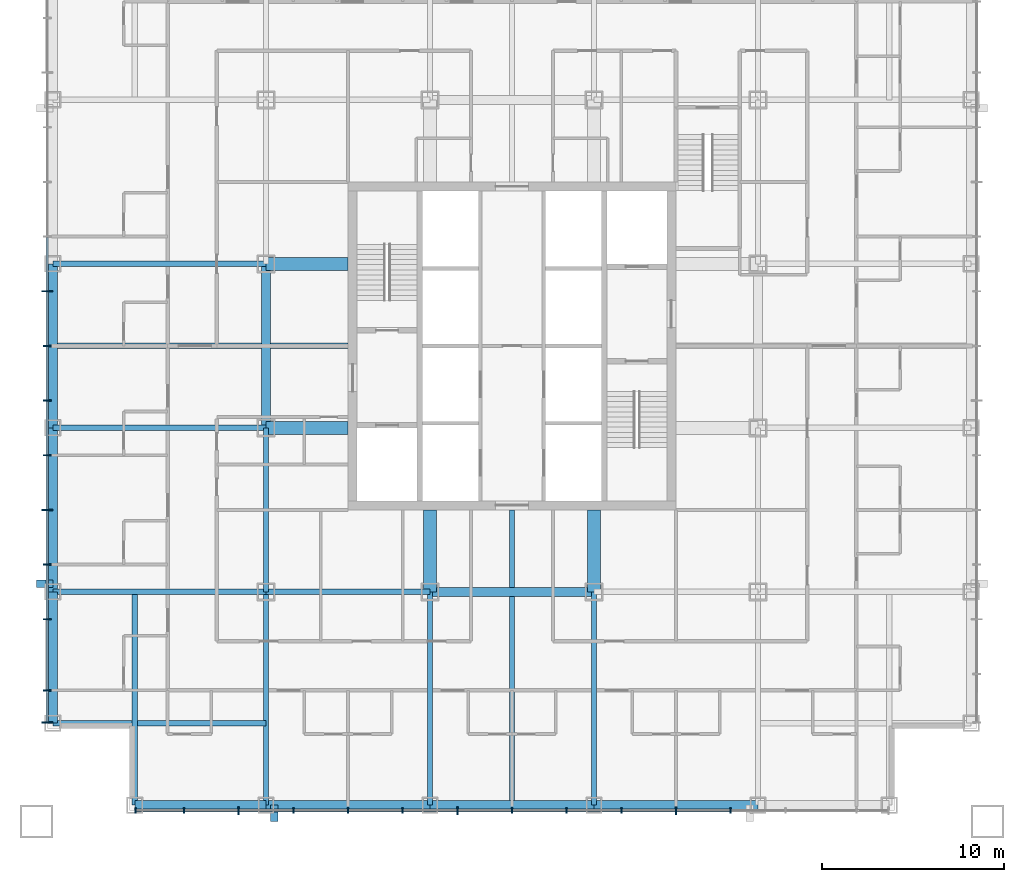
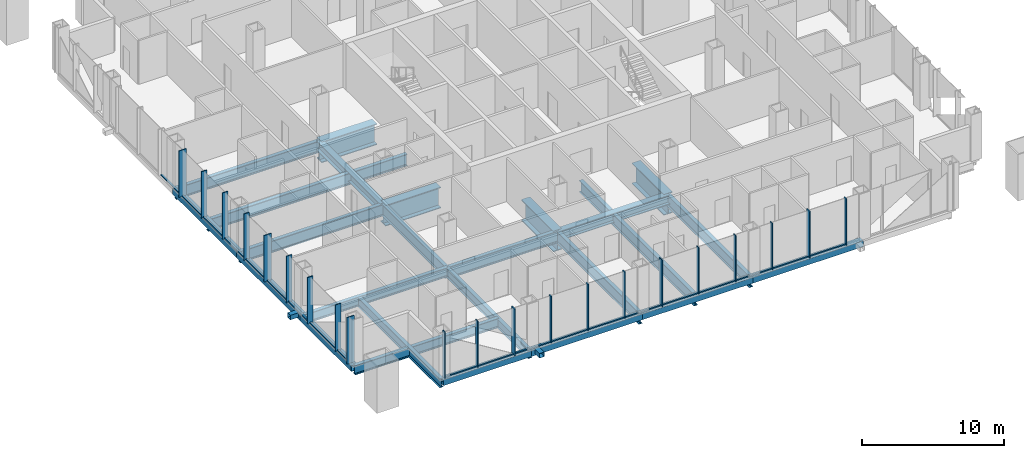
# One storey, part 2 of 17: 43 members, 25 beams, 2 elements without a shape of their own.
"""IFC4 building model written with IfcOpenShell, lengths in metres."""

from ifc_helpers import new_model, si_unit, direction, frame, origin, origin_2d, place, context, subcontext, project, spatial, rectangle, hollow_rectangle, i_section, extrude, material, layer, layer_set, material_profile, profile_set, type_object, element, aggregate, save


model = new_model("IFC4")

# Units and contexts
model_context = context("Model", 3, precision=1e-05, world=origin(), true_north=direction((0.0, 1.0)))
body_context = subcontext(model_context, "Body", "Model", "MODEL_VIEW")
ifc_project = project(units=[si_unit("LENGTHUNIT", "METRE"), si_unit("AREAUNIT", "SQUARE_METRE"), si_unit("VOLUMEUNIT", "CUBIC_METRE"), si_unit("PLANEANGLEUNIT", "RADIAN"), si_unit("MASSUNIT", "GRAM", prefix="KILO")], contexts=[model_context])

# Site, building, storey
site_placement = place(None, origin())
site = spatial("IfcSite", under=ifc_project, at=site_placement, CompositionType="ELEMENT")
building_placement = place(site_placement, origin())
building = spatial("IfcBuilding", under=site, at=building_placement, Name="Malebo Sky Hospital", CompositionType="ELEMENT")
storey_placement = place(building_placement, frame((0.0, 0.0, 55.0)))
storey = spatial("IfcBuildingStorey", under=building, at=storey_placement, Name="L12", CompositionType="ELEMENT", Elevation=55.0)

# Curtain wall, members
ifc_material_1 = material(Name="Anodised aluminium, natural silver", Category="aluminium")
ifc_layer_1 = layer(ifc_material_1, 0.25)
ifc_layer_set_1 = layer_set([ifc_layer_1], Name="WARD CURTAIN WALL EAST AND WEST")
curtain_wall_type_1 = type_object("IfcCurtainWallType", Name="WARD CURTAIN WALL EAST AND WEST", PredefinedType="NOTDEFINED", material=ifc_layer_set_1)
curtain_wall_1_placement = place(storey_placement, origin())
curtain_wall_1 = element("IfcCurtainWall", 1, at=curtain_wall_1_placement, inside=storey, type_object=curtain_wall_type_1, Name="EW curtain wall W", PredefinedType="NOTDEFINED")
ifc_material_profile_1 = material_profile(ifc_material_1, rectangle(XDim=0.14990234375, YDim=0.10009765625, at=origin_2d()), Name="ALUMINIUM TRANSOM 150x100")
ifc_profile_set_1 = profile_set([ifc_material_profile_1], Name="Anodised aluminium, natural silver")
member_type_1 = type_object("IfcMemberType", Name="ALUMINIUM TRANSOM 150x100", PredefinedType="USERDEFINED", material=ifc_profile_set_1)
member_1_placement = place(storey_placement, frame((34.5, 41.375, 0.050048828125), z_axis=(0.0, 1.0, 0.0), x_axis=(-1.0, 0.0, 0.0)))
member_1 = element("IfcMember", 2, at=member_1_placement, type_object=member_type_1, Name="Transom 1", ObjectType="TRANSOM", PredefinedType="USERDEFINED", context=body_context, shape_type="SweptSolid", body=[
    extrude(rectangle(XDim=0.14990234375, YDim=0.10009765625, at=origin_2d()), origin(), (0.0, 0.0, 1.0), 1.6875),
])
member_2_placement = place(storey_placement, frame((34.5, 43.137451171875, 0.050048828125), z_axis=(0.0, 1.0, 0.0), x_axis=(-1.0, 0.0, 0.0)))
member_2 = element("IfcMember", 3, at=member_2_placement, type_object=member_type_1, Name="Transom 2", ObjectType="TRANSOM", PredefinedType="USERDEFINED", context=body_context, shape_type="SweptSolid", body=[
    extrude(rectangle(XDim=0.14990234375, YDim=0.10009765625, at=origin_2d()), origin(), (0.0, 0.0, 1.0), 3.824951171875),
])
member_3_placement = place(storey_placement, frame((34.5, 47.03759765625, 0.050048828125), z_axis=(0.0, 1.0, 0.0), x_axis=(-1.0, 0.0, 0.0)))
member_3 = element("IfcMember", 4, at=member_3_placement, type_object=member_type_1, Name="Transom 3", ObjectType="TRANSOM", PredefinedType="USERDEFINED", context=body_context, shape_type="SweptSolid", body=[
    extrude(rectangle(XDim=0.14990234375, YDim=0.10009765625, at=origin_2d()), origin(), (0.0, 0.0, 1.0), 2.9248046875),
])
member_4_placement = place(storey_placement, frame((34.5, 50.03759765625, 0.050048828125), z_axis=(0.0, 1.0, 0.0), x_axis=(-1.0, 0.0, 0.0)))
member_4 = element("IfcMember", 5, at=member_4_placement, type_object=member_type_1, Name="Transom 4", ObjectType="TRANSOM", PredefinedType="USERDEFINED", context=body_context, shape_type="SweptSolid", body=[
    extrude(rectangle(XDim=0.14990234375, YDim=0.10009765625, at=origin_2d()), origin(), (0.0, 0.0, 1.0), 2.9248046875),
])
member_5_placement = place(storey_placement, frame((34.5, 53.03759765625, 0.050048828125), z_axis=(0.0, 1.0, 0.0), x_axis=(-1.0, 0.0, 0.0)))
member_5 = element("IfcMember", 6, at=member_5_placement, type_object=member_type_1, Name="Transom 5", ObjectType="TRANSOM", PredefinedType="USERDEFINED", context=body_context, shape_type="SweptSolid", body=[
    extrude(rectangle(XDim=0.14990234375, YDim=0.10009765625, at=origin_2d()), origin(), (0.0, 0.0, 1.0), 2.9248046875),
])
member_6_placement = place(storey_placement, frame((34.5, 56.03759765625, 0.050048828125), z_axis=(0.0, 1.0, 0.0), x_axis=(-1.0, 0.0, 0.0)))
member_6 = element("IfcMember", 7, at=member_6_placement, type_object=member_type_1, Name="Transom 6", ObjectType="TRANSOM", PredefinedType="USERDEFINED", context=body_context, shape_type="SweptSolid", body=[
    extrude(rectangle(XDim=0.14990234375, YDim=0.10009765625, at=origin_2d()), origin(), (0.0, 0.0, 1.0), 2.9248046875),
])
member_7_placement = place(storey_placement, frame((34.5, 59.03759765625, 0.050048828125), z_axis=(0.0, 1.0, 0.0), x_axis=(-1.0, 0.0, 0.0)))
member_7 = element("IfcMember", 8, at=member_7_placement, type_object=member_type_1, Name="Transom 7", ObjectType="TRANSOM", PredefinedType="USERDEFINED", context=body_context, shape_type="SweptSolid", body=[
    extrude(rectangle(XDim=0.14990234375, YDim=0.10009765625, at=origin_2d()), origin(), (0.0, 0.0, 1.0), 2.9248046875),
])
member_8_placement = place(storey_placement, frame((34.5, 62.03759765625, 0.050048828125), z_axis=(0.0, 1.0, 0.0), x_axis=(-1.0, 0.0, 0.0)))
member_8 = element("IfcMember", 9, at=member_8_placement, type_object=member_type_1, Name="Transom 8", ObjectType="TRANSOM", PredefinedType="USERDEFINED", context=body_context, shape_type="SweptSolid", body=[
    extrude(rectangle(XDim=0.14990234375, YDim=0.10009765625, at=origin_2d()), origin(), (0.0, 0.0, 1.0), 2.9248046875),
])
member_9_placement = place(storey_placement, frame((34.5, 65.03759765625, 0.050048828125), z_axis=(0.0, 1.0, 0.0), x_axis=(-1.0, 0.0, 0.0)))
member_9 = element("IfcMember", 10, at=member_9_placement, type_object=member_type_1, Name="Transom 9", ObjectType="TRANSOM", PredefinedType="USERDEFINED", context=body_context, shape_type="SweptSolid", body=[
    extrude(rectangle(XDim=0.14990234375, YDim=0.10009765625, at=origin_2d()), origin(), (0.0, 0.0, 1.0), 2.9248046875),
])

ifc_layer_2 = layer(ifc_material_1, 0.25)
ifc_layer_set_2 = layer_set([ifc_layer_2], Name="WARD CURTAIN WALL NORTH AND SOUTH")
curtain_wall_type_2 = type_object("IfcCurtainWallType", Name="WARD CURTAIN WALL NORTH AND SOUTH", PredefinedType="NOTDEFINED", material=ifc_layer_set_2)
curtain_wall_2_placement = place(storey_placement, origin())
curtain_wall_2 = element("IfcCurtainWall", 11, at=curtain_wall_2_placement, inside=storey, type_object=curtain_wall_type_2, Name="NS curtain wall S", PredefinedType="NOTDEFINED")
member_10_placement = place(storey_placement, frame((71.96240234375, 36.5, 0.050048828125), z_axis=(-1.0, 0.0, 0.0), x_axis=(0.0, -1.0, 0.0)))
member_10 = element("IfcMember", 12, at=member_10_placement, type_object=member_type_1, Name="Transom 4", ObjectType="TRANSOM", PredefinedType="USERDEFINED", context=body_context, shape_type="SweptSolid", body=[
    extrude(rectangle(XDim=0.14990234375, YDim=0.10009765625, at=origin_2d()), origin(), (0.0, 0.0, 1.0), 2.9248046875),
])
member_11_placement = place(storey_placement, frame((68.96240234375, 36.5, 0.050048828125), z_axis=(-1.0, 0.0, 0.0), x_axis=(0.0, -1.0, 0.0)))
member_11 = element("IfcMember", 13, at=member_11_placement, type_object=member_type_1, Name="Transom 5", ObjectType="TRANSOM", PredefinedType="USERDEFINED", context=body_context, shape_type="SweptSolid", body=[
    extrude(rectangle(XDim=0.14990234375, YDim=0.10009765625, at=origin_2d()), origin(), (0.0, 0.0, 1.0), 2.9248046875),
])
member_12_placement = place(storey_placement, frame((65.96240234375, 36.5, 0.050048828125), z_axis=(-1.0, 0.0, 0.0), x_axis=(0.0, -1.0, 0.0)))
member_12 = element("IfcMember", 14, at=member_12_placement, type_object=member_type_1, Name="Transom 6", ObjectType="TRANSOM", PredefinedType="USERDEFINED", context=body_context, shape_type="SweptSolid", body=[
    extrude(rectangle(XDim=0.14990234375, YDim=0.10009765625, at=origin_2d()), origin(), (0.0, 0.0, 1.0), 2.9248046875),
])
member_13_placement = place(storey_placement, frame((62.96240234375, 36.5, 0.050048828125), z_axis=(-1.0, 0.0, 0.0), x_axis=(0.0, -1.0, 0.0)))
member_13 = element("IfcMember", 15, at=member_13_placement, type_object=member_type_1, Name="Transom 7", ObjectType="TRANSOM", PredefinedType="USERDEFINED", context=body_context, shape_type="SweptSolid", body=[
    extrude(rectangle(XDim=0.14990234375, YDim=0.10009765625, at=origin_2d()), origin(), (0.0, 0.0, 1.0), 2.9248046875),
])
member_14_placement = place(storey_placement, frame((59.96240234375, 36.5, 0.050048828125), z_axis=(-1.0, 0.0, 0.0), x_axis=(0.0, -1.0, 0.0)))
member_14 = element("IfcMember", 16, at=member_14_placement, type_object=member_type_1, Name="Transom 8", ObjectType="TRANSOM", PredefinedType="USERDEFINED", context=body_context, shape_type="SweptSolid", body=[
    extrude(rectangle(XDim=0.14990234375, YDim=0.10009765625, at=origin_2d()), origin(), (0.0, 0.0, 1.0), 2.9248046875),
])
member_15_placement = place(storey_placement, frame((56.96240234375, 36.5, 0.050048828125), z_axis=(-1.0, 0.0, 0.0), x_axis=(0.0, -1.0, 0.0)))
member_15 = element("IfcMember", 17, at=member_15_placement, type_object=member_type_1, Name="Transom 9", ObjectType="TRANSOM", PredefinedType="USERDEFINED", context=body_context, shape_type="SweptSolid", body=[
    extrude(rectangle(XDim=0.14990234375, YDim=0.10009765625, at=origin_2d()), origin(), (0.0, 0.0, 1.0), 2.9248046875),
])
member_16_placement = place(storey_placement, frame((53.96240234375, 36.5, 0.050048828125), z_axis=(-1.0, 0.0, 0.0), x_axis=(0.0, -1.0, 0.0)))
member_16 = element("IfcMember", 18, at=member_16_placement, type_object=member_type_1, Name="Transom 10", ObjectType="TRANSOM", PredefinedType="USERDEFINED", context=body_context, shape_type="SweptSolid", body=[
    extrude(rectangle(XDim=0.14990234375, YDim=0.10009765625, at=origin_2d()), origin(), (0.0, 0.0, 1.0), 2.9248046875),
])
member_17_placement = place(storey_placement, frame((50.96240234375, 36.5, 0.050048828125), z_axis=(-1.0, 0.0, 0.0), x_axis=(0.0, -1.0, 0.0)))
member_17 = element("IfcMember", 19, at=member_17_placement, type_object=member_type_1, Name="Transom 11", ObjectType="TRANSOM", PredefinedType="USERDEFINED", context=body_context, shape_type="SweptSolid", body=[
    extrude(rectangle(XDim=0.14990234375, YDim=0.10009765625, at=origin_2d()), origin(), (0.0, 0.0, 1.0), 2.9248046875),
])
member_18_placement = place(storey_placement, frame((47.96240234375, 36.5, 0.050048828125), z_axis=(-1.0, 0.0, 0.0), x_axis=(0.0, -1.0, 0.0)))
member_18 = element("IfcMember", 20, at=member_18_placement, type_object=member_type_1, Name="Transom 12", ObjectType="TRANSOM", PredefinedType="USERDEFINED", context=body_context, shape_type="SweptSolid", body=[
    extrude(rectangle(XDim=0.14990234375, YDim=0.10009765625, at=origin_2d()), origin(), (0.0, 0.0, 1.0), 2.9248046875),
])
member_19_placement = place(storey_placement, frame((44.96240234375, 36.5, 0.050048828125), z_axis=(-1.0, 0.0, 0.0), x_axis=(0.0, -1.0, 0.0)))
member_19 = element("IfcMember", 21, at=member_19_placement, type_object=member_type_1, Name="Transom 13", ObjectType="TRANSOM", PredefinedType="USERDEFINED", context=body_context, shape_type="SweptSolid", body=[
    extrude(rectangle(XDim=0.14990234375, YDim=0.10009765625, at=origin_2d()), origin(), (0.0, 0.0, 1.0), 2.9248046875),
])
member_20_placement = place(storey_placement, frame((41.96240234375, 36.5, 0.050048828125), z_axis=(-1.0, 0.0, 0.0), x_axis=(0.0, -1.0, 0.0)))
member_20 = element("IfcMember", 22, at=member_20_placement, type_object=member_type_1, Name="Transom 14", ObjectType="TRANSOM", PredefinedType="USERDEFINED", context=body_context, shape_type="SweptSolid", body=[
    extrude(rectangle(XDim=0.14990234375, YDim=0.10009765625, at=origin_2d()), origin(), (0.0, 0.0, 1.0), 2.58740234375),
])

# Members
ifc_material_2 = material(Name="Steel S355", Category="steel")
ifc_material_profile_2 = material_profile(ifc_material_2, hollow_rectangle(XDim=0.39990234375, YDim=0.39990234375, WallThickness=0.02001953125, at=origin_2d()), Name="SHS 400x20")
ifc_profile_set_2 = profile_set([ifc_material_profile_2], Name="Steel S355")
member_type_2 = type_object("IfcMemberType", Name="BRACE STRUT SHS 400x20", PredefinedType="STRUT", material=ifc_profile_set_2)
for number, where, z_axis, x_axis, name in (
    (23, (46.949951171875, 35.89990234375, -0.39990234375), (0.0, 1.0, 0.0), (-1.0, 0.0, 0.0), "Brace strut AS2 L12"),
    (24, (33.89990234375, 48.949951171875, -0.39990234375), (1.0, 0.0, 0.0), (0.0, 1.0, 0.0), "Brace strut AW1 L12"),
):
    element("IfcMember", number, at=place(storey_placement, frame(where, z_axis=z_axis, x_axis=x_axis)), inside=storey, type_object=member_type_2, Name=name, PredefinedType="STRUT", context=body_context, shape_type="SweptSolid", body=[
        extrude(hollow_rectangle(XDim=0.39990234375, YDim=0.39990234375, WallThickness=0.02001953125, at=origin_2d()), origin(), (0.0, 0.0, 1.0), 0.900146484375),
    ])

# Member
ifc_material_profile_3 = material_profile(ifc_material_1, rectangle(XDim=0.074951171875, YDim=0.300048828125, at=origin_2d()), Name="CW1 ALUMINIUM FIN MULLION 75x300")
ifc_profile_set_3 = profile_set([ifc_material_profile_3], Name="Anodised aluminium, natural silver")
member_type_3 = type_object("IfcMemberType", Name="CW1 ALUMINIUM FIN MULLION 75x300", PredefinedType="MULLION", material=ifc_profile_set_3)
member_21_placement = place(storey_placement, frame((72.0, 36.5, 0.0), z_axis=(0.0, 0.0, 1.0), x_axis=(-1.0, 0.0, 0.0)))
member_21 = element("IfcMember", 25, at=member_21_placement, type_object=member_type_3, Name="Fin mullion 4", PredefinedType="MULLION", context=body_context, shape_type="SweptSolid", body=[
    extrude(rectangle(XDim=0.074951171875, YDim=0.300048828125, at=origin_2d()), origin(), (0.0, 0.0, 1.0), 4.0),
])

member_22_placement = place(storey_placement, frame((66.0, 36.5, 0.0), z_axis=(0.0, 0.0, 1.0), x_axis=(-1.0, 0.0, 0.0)))
member_22 = element("IfcMember", 26, at=member_22_placement, type_object=member_type_3, Name="Fin mullion 6", PredefinedType="MULLION", context=body_context, shape_type="SweptSolid", body=[
    extrude(rectangle(XDim=0.074951171875, YDim=0.300048828125, at=origin_2d()), origin(), (0.0, 0.0, 1.0), 4.0),
])

member_23_placement = place(storey_placement, frame((63.0, 36.5, 0.0), z_axis=(0.0, 0.0, 1.0), x_axis=(-1.0, 0.0, 0.0)))
member_23 = element("IfcMember", 27, at=member_23_placement, type_object=member_type_3, Name="Fin mullion 7", PredefinedType="MULLION", context=body_context, shape_type="SweptSolid", body=[
    extrude(rectangle(XDim=0.074951171875, YDim=0.300048828125, at=origin_2d()), origin(), (0.0, 0.0, 1.0), 4.0),
])

member_24_placement = place(storey_placement, frame((60.0, 36.5, 0.0), z_axis=(0.0, 0.0, 1.0), x_axis=(-1.0, 0.0, 0.0)))
member_24 = element("IfcMember", 28, at=member_24_placement, type_object=member_type_3, Name="Fin mullion 8", PredefinedType="MULLION", context=body_context, shape_type="SweptSolid", body=[
    extrude(rectangle(XDim=0.074951171875, YDim=0.300048828125, at=origin_2d()), origin(), (0.0, 0.0, 1.0), 4.0),
])

member_25_placement = place(storey_placement, frame((54.0, 36.5, 0.0), z_axis=(0.0, 0.0, 1.0), x_axis=(-1.0, 0.0, 0.0)))
member_25 = element("IfcMember", 29, at=member_25_placement, type_object=member_type_3, Name="Fin mullion 10", PredefinedType="MULLION", context=body_context, shape_type="SweptSolid", body=[
    extrude(rectangle(XDim=0.074951171875, YDim=0.300048828125, at=origin_2d()), origin(), (0.0, 0.0, 1.0), 4.0),
])

member_26_placement = place(storey_placement, frame((51.0, 36.5, 0.0), z_axis=(0.0, 0.0, 1.0), x_axis=(-1.0, 0.0, 0.0)))
member_26 = element("IfcMember", 30, at=member_26_placement, type_object=member_type_3, Name="Fin mullion 11", PredefinedType="MULLION", context=body_context, shape_type="SweptSolid", body=[
    extrude(rectangle(XDim=0.074951171875, YDim=0.300048828125, at=origin_2d()), origin(), (0.0, 0.0, 1.0), 4.0),
])

member_27_placement = place(storey_placement, frame((48.0, 36.5, 0.0), z_axis=(0.0, 0.0, 1.0), x_axis=(-1.0, 0.0, 0.0)))
member_27 = element("IfcMember", 31, at=member_27_placement, type_object=member_type_3, Name="Fin mullion 12", PredefinedType="MULLION", context=body_context, shape_type="SweptSolid", body=[
    extrude(rectangle(XDim=0.074951171875, YDim=0.300048828125, at=origin_2d()), origin(), (0.0, 0.0, 1.0), 4.0),
])

member_28_placement = place(storey_placement, frame((42.0, 36.5, 0.0), z_axis=(0.0, 0.0, 1.0), x_axis=(-1.0, 0.0, 0.0)))
member_28 = element("IfcMember", 32, at=member_28_placement, type_object=member_type_3, Name="Fin mullion 14", PredefinedType="MULLION", context=body_context, shape_type="SweptSolid", body=[
    extrude(rectangle(XDim=0.074951171875, YDim=0.300048828125, at=origin_2d()), origin(), (0.0, 0.0, 1.0), 4.0),
])

member_29_placement = place(storey_placement, frame((39.33740234375, 36.5, 0.0), z_axis=(0.0, 0.0, 1.0), x_axis=(-1.0, 0.0, 0.0)))
member_29 = element("IfcMember", 33, at=member_29_placement, type_object=member_type_3, Name="Fin mullion 15", PredefinedType="MULLION", context=body_context, shape_type="SweptSolid", body=[
    extrude(rectangle(XDim=0.074951171875, YDim=0.300048828125, at=origin_2d()), origin(), (0.0, 0.0, 1.0), 4.0),
])

ifc_material_profile_4 = material_profile(ifc_material_1, rectangle(XDim=0.074951171875, YDim=0.449951171875, at=origin_2d()), Name="CW1 ALUMINIUM FIN MULLION 75x450")
ifc_profile_set_4 = profile_set([ifc_material_profile_4], Name="Anodised aluminium, natural silver")
member_type_4 = type_object("IfcMemberType", Name="CW1 ALUMINIUM FIN MULLION 75x450", PredefinedType="MULLION", material=ifc_profile_set_4)
member_30_placement = place(storey_placement, frame((69.0, 36.5, 0.0), z_axis=(0.0, 0.0, 1.0), x_axis=(-1.0, 0.0, 0.0)))
member_30 = element("IfcMember", 34, at=member_30_placement, type_object=member_type_4, Name="Fin mullion 5", PredefinedType="MULLION", context=body_context, shape_type="SweptSolid", body=[
    extrude(rectangle(XDim=0.074951171875, YDim=0.449951171875, at=origin_2d()), origin(), (0.0, 0.0, 1.0), 4.0),
])

member_31_placement = place(storey_placement, frame((57.0, 36.5, 0.0), z_axis=(0.0, 0.0, 1.0), x_axis=(-1.0, 0.0, 0.0)))
member_31 = element("IfcMember", 35, at=member_31_placement, type_object=member_type_4, Name="Fin mullion 9", PredefinedType="MULLION", context=body_context, shape_type="SweptSolid", body=[
    extrude(rectangle(XDim=0.074951171875, YDim=0.449951171875, at=origin_2d()), origin(), (0.0, 0.0, 1.0), 4.0),
])

member_32_placement = place(storey_placement, frame((45.0, 36.5, 0.0), z_axis=(0.0, 0.0, 1.0), x_axis=(-1.0, 0.0, 0.0)))
member_32 = element("IfcMember", 36, at=member_32_placement, type_object=member_type_4, Name="Fin mullion 13", PredefinedType="MULLION", context=body_context, shape_type="SweptSolid", body=[
    extrude(rectangle(XDim=0.074951171875, YDim=0.449951171875, at=origin_2d()), origin(), (0.0, 0.0, 1.0), 4.0),
])

aggregate(curtain_wall_2, [member_21, member_30, member_22, member_23, member_24, member_31, member_25, member_26, member_27, member_32, member_28, member_29, member_10, member_11, member_12, member_13, member_14, member_15, member_16, member_17, member_18, member_19, member_20])

ifc_material_profile_5 = material_profile(ifc_material_1, rectangle(XDim=0.074951171875, YDim=0.449951171875, at=origin_2d()), Name="CW2 ALUMINIUM FIN MULLION 75x450")
ifc_profile_set_5 = profile_set([ifc_material_profile_5], Name="Anodised aluminium, natural silver")
member_type_5 = type_object("IfcMemberType", Name="CW2 ALUMINIUM FIN MULLION 75x450", PredefinedType="MULLION", material=ifc_profile_set_5)
member_33_placement = place(storey_placement, frame((34.5, 43.10009765625, 0.0), z_axis=(0.0, 0.0, 1.0), x_axis=(0.0, 1.0, 0.0)))
member_33 = element("IfcMember", 37, at=member_33_placement, type_object=member_type_5, Name="Fin mullion 2", PredefinedType="MULLION", context=body_context, shape_type="SweptSolid", body=[
    extrude(rectangle(XDim=0.074951171875, YDim=0.449951171875, at=origin_2d()), origin(), (0.0, 0.0, 1.0), 4.0),
])

member_34_placement = place(storey_placement, frame((34.5, 47.0, 0.0), z_axis=(0.0, 0.0, 1.0), x_axis=(0.0, 1.0, 0.0)))
member_34 = element("IfcMember", 38, at=member_34_placement, type_object=member_type_5, Name="Fin mullion 3", PredefinedType="MULLION", context=body_context, shape_type="SweptSolid", body=[
    extrude(rectangle(XDim=0.074951171875, YDim=0.449951171875, at=origin_2d()), origin(), (0.0, 0.0, 1.0), 4.0),
])

member_35_placement = place(storey_placement, frame((34.5, 50.0, 0.0), z_axis=(0.0, 0.0, 1.0), x_axis=(0.0, 1.0, 0.0)))
member_35 = element("IfcMember", 39, at=member_35_placement, type_object=member_type_5, Name="Fin mullion 4", PredefinedType="MULLION", context=body_context, shape_type="SweptSolid", body=[
    extrude(rectangle(XDim=0.074951171875, YDim=0.449951171875, at=origin_2d()), origin(), (0.0, 0.0, 1.0), 4.0),
])

member_36_placement = place(storey_placement, frame((34.5, 56.0, 0.0), z_axis=(0.0, 0.0, 1.0), x_axis=(0.0, 1.0, 0.0)))
member_36 = element("IfcMember", 40, at=member_36_placement, type_object=member_type_5, Name="Fin mullion 6", PredefinedType="MULLION", context=body_context, shape_type="SweptSolid", body=[
    extrude(rectangle(XDim=0.074951171875, YDim=0.449951171875, at=origin_2d()), origin(), (0.0, 0.0, 1.0), 4.0),
])

member_37_placement = place(storey_placement, frame((34.5, 59.0, 0.0), z_axis=(0.0, 0.0, 1.0), x_axis=(0.0, 1.0, 0.0)))
member_37 = element("IfcMember", 41, at=member_37_placement, type_object=member_type_5, Name="Fin mullion 7", PredefinedType="MULLION", context=body_context, shape_type="SweptSolid", body=[
    extrude(rectangle(XDim=0.074951171875, YDim=0.449951171875, at=origin_2d()), origin(), (0.0, 0.0, 1.0), 4.0),
])

member_38_placement = place(storey_placement, frame((34.5, 62.0, 0.0), z_axis=(0.0, 0.0, 1.0), x_axis=(0.0, 1.0, 0.0)))
member_38 = element("IfcMember", 42, at=member_38_placement, type_object=member_type_5, Name="Fin mullion 8", PredefinedType="MULLION", context=body_context, shape_type="SweptSolid", body=[
    extrude(rectangle(XDim=0.074951171875, YDim=0.449951171875, at=origin_2d()), origin(), (0.0, 0.0, 1.0), 4.0),
])

ifc_material_profile_6 = material_profile(ifc_material_1, rectangle(XDim=0.074951171875, YDim=0.60009765625, at=origin_2d()), Name="CW2 ALUMINIUM FIN MULLION 75x600")
ifc_profile_set_6 = profile_set([ifc_material_profile_6], Name="Anodised aluminium, natural silver")
member_type_6 = type_object("IfcMemberType", Name="CW2 ALUMINIUM FIN MULLION 75x600", PredefinedType="MULLION", material=ifc_profile_set_6)
member_39_placement = place(storey_placement, frame((34.5, 41.33740234375, 0.0), z_axis=(0.0, 0.0, 1.0), x_axis=(0.0, 1.0, 0.0)))
member_39 = element("IfcMember", 43, at=member_39_placement, type_object=member_type_6, Name="Fin mullion 1", PredefinedType="MULLION", context=body_context, shape_type="SweptSolid", body=[
    extrude(rectangle(XDim=0.074951171875, YDim=0.60009765625, at=origin_2d()), origin(), (0.0, 0.0, 1.0), 4.0),
])

member_40_placement = place(storey_placement, frame((34.5, 53.0, 0.0), z_axis=(0.0, 0.0, 1.0), x_axis=(0.0, 1.0, 0.0)))
member_40 = element("IfcMember", 44, at=member_40_placement, type_object=member_type_6, Name="Fin mullion 5", PredefinedType="MULLION", context=body_context, shape_type="SweptSolid", body=[
    extrude(rectangle(XDim=0.074951171875, YDim=0.60009765625, at=origin_2d()), origin(), (0.0, 0.0, 1.0), 4.0),
])

member_41_placement = place(storey_placement, frame((34.5, 65.0, 0.0), z_axis=(0.0, 0.0, 1.0), x_axis=(0.0, 1.0, 0.0)))
member_41 = element("IfcMember", 45, at=member_41_placement, type_object=member_type_6, Name="Fin mullion 9", PredefinedType="MULLION", context=body_context, shape_type="SweptSolid", body=[
    extrude(rectangle(XDim=0.074951171875, YDim=0.60009765625, at=origin_2d()), origin(), (0.0, 0.0, 1.0), 4.0),
])

aggregate(curtain_wall_1, [member_39, member_33, member_34, member_35, member_40, member_36, member_37, member_38, member_41, member_1, member_2, member_3, member_4, member_5, member_6, member_7, member_8, member_9])

# Beams
ifc_material_3 = material(Name="Steel S460", Category="steel")
ifc_material_profile_7 = material_profile(ifc_material_3, hollow_rectangle(XDim=0.5, YDim=0.5, WallThickness=0.030029296875, at=origin_2d()), Name="BOX 500x500x30")
ifc_profile_set_7 = profile_set([ifc_material_profile_7], Name="Steel S460")
beam_type_1 = type_object("IfcBeamType", Name="EDGE BEAM BOX 500x500x30", PredefinedType="BEAM", material=ifc_profile_set_7)
beam_1_placement = place(storey_placement, frame((34.800048828125, 41.300048828125, -0.5), z_axis=(0.0, 1.0, 0.0), x_axis=(-1.0, 0.0, 0.0)))
element("IfcBeam", 46, at=beam_1_placement, inside=storey, type_object=beam_type_1, Name="Beam 000 L12", PredefinedType="BEAM", context=body_context, shape_type="SweptSolid", body=[
    extrude(hollow_rectangle(XDim=0.5, YDim=0.5, WallThickness=0.030029296875, at=origin_2d()), origin(), (0.0, 0.0, 1.0), 7.199951171875),
])
for number, where, z_axis, x_axis, name in (
    (47, (34.800048828125, 48.5, -0.5), (0.0, 1.0, 0.0), (-1.0, 0.0, 0.0), "Beam 001 L12"),
    (48, (34.800048828125, 57.5, -0.5), (0.0, 1.0, 0.0), (-1.0, 0.0, 0.0), "Beam 002 L12"),
):
    element("IfcBeam", number, at=place(storey_placement, frame(where, z_axis=z_axis, x_axis=x_axis)), inside=storey, type_object=beam_type_1, Name=name, PredefinedType="BEAM", context=body_context, shape_type="SweptSolid", body=[
        extrude(hollow_rectangle(XDim=0.5, YDim=0.5, WallThickness=0.030029296875, at=origin_2d()), origin(), (0.0, 0.0, 1.0), 9.0),
    ])
beam_2_placement = place(storey_placement, frame((39.300048828125, 36.800048828125, -0.5), z_axis=(1.0, 0.0, 0.0), x_axis=(0.0, 1.0, 0.0)))
element("IfcBeam", 49, at=beam_2_placement, inside=storey, type_object=beam_type_1, Name="Beam 034 L12", PredefinedType="BEAM", context=body_context, shape_type="SweptSolid", body=[
    extrude(hollow_rectangle(XDim=0.5, YDim=0.5, WallThickness=0.030029296875, at=origin_2d()), origin(), (0.0, 0.0, 1.0), 7.199951171875),
])
for number, where, z_axis, x_axis, name in (
    (50, (46.5, 36.800048828125, -0.5), (1.0, 0.0, 0.0), (0.0, 1.0, 0.0), "Beam 035 L12"),
    (51, (55.5, 36.800048828125, -0.5), (1.0, 0.0, 0.0), (0.0, 1.0, 0.0), "Beam 036 L12"),
    (52, (64.5, 36.800048828125, -0.5), (1.0, 0.0, 0.0), (0.0, 1.0, 0.0), "Beam 037 L12"),
):
    element("IfcBeam", number, at=place(storey_placement, frame(where, z_axis=z_axis, x_axis=x_axis)), inside=storey, type_object=beam_type_1, Name=name, PredefinedType="BEAM", context=body_context, shape_type="SweptSolid", body=[
        extrude(hollow_rectangle(XDim=0.5, YDim=0.5, WallThickness=0.030029296875, at=origin_2d()), origin(), (0.0, 0.0, 1.0), 9.0),
    ])
ifc_material_profile_8 = material_profile(ifc_material_2, i_section(OverallWidth=0.300048828125, OverallDepth=1.0, WebThickness=0.01904296875, FlangeThickness=0.035888671875, FilletRadius=0.030029296875, at=origin_2d()), Name="HEB 1000")
ifc_profile_set_8 = profile_set([ifc_material_profile_8], Name="Steel S355")
beam_type_2 = type_object("IfcBeamType", Name="FLOOR BEAM HEB 1000", PredefinedType="BEAM", material=ifc_profile_set_8)
beam_3_placement = place(storey_placement, frame((46.5, 48.5, -0.75), z_axis=(0.0, 1.0, 0.0), x_axis=(-1.0, 0.0, 0.0)))
element("IfcBeam", 53, at=beam_3_placement, inside=storey, type_object=beam_type_2, Name="Beam 008 L12", PredefinedType="BEAM", context=body_context, shape_type="SweptSolid", body=[
    extrude(i_section(OverallWidth=0.300048828125, OverallDepth=1.0, WebThickness=0.01904296875, FlangeThickness=0.035888671875, FilletRadius=0.030029296875, at=origin_2d()), origin(), (0.0, 0.0, 1.0), 9.0),
])
beam_4_placement = place(storey_placement, frame((55.5, 36.800048828125, -0.75), z_axis=(0.0, 1.0, 0.0), x_axis=(-1.0, 0.0, 0.0)))
element("IfcBeam", 54, at=beam_4_placement, inside=storey, type_object=beam_type_2, Name="Beam 012 L12", PredefinedType="BEAM", context=body_context, shape_type="SweptSolid", body=[
    extrude(i_section(OverallWidth=0.300048828125, OverallDepth=1.0, WebThickness=0.01904296875, FlangeThickness=0.035888671875, FilletRadius=0.030029296875, at=origin_2d()), origin(), (0.0, 0.0, 1.0), 11.699951171875),
])
beam_5_placement = place(storey_placement, frame((60.0, 36.800048828125, -0.75), z_axis=(0.0, 1.0, 0.0), x_axis=(-1.0, 0.0, 0.0)))
element("IfcBeam", 55, at=beam_5_placement, inside=storey, type_object=beam_type_2, Name="Beam 016 L12", PredefinedType="BEAM", context=body_context, shape_type="SweptSolid", body=[
    extrude(i_section(OverallWidth=0.300048828125, OverallDepth=1.0, WebThickness=0.01904296875, FlangeThickness=0.035888671875, FilletRadius=0.030029296875, at=origin_2d()), origin(), (0.0, 0.0, 1.0), 16.199951171875),
])
beam_6_placement = place(storey_placement, frame((64.5, 36.800048828125, -0.75), z_axis=(0.0, 1.0, 0.0), x_axis=(-1.0, 0.0, 0.0)))
element("IfcBeam", 56, at=beam_6_placement, inside=storey, type_object=beam_type_2, Name="Beam 018 L12", PredefinedType="BEAM", context=body_context, shape_type="SweptSolid", body=[
    extrude(i_section(OverallWidth=0.300048828125, OverallDepth=1.0, WebThickness=0.01904296875, FlangeThickness=0.035888671875, FilletRadius=0.030029296875, at=origin_2d()), origin(), (0.0, 0.0, 1.0), 11.699951171875),
])
beam_7_placement = place(storey_placement, frame((46.5, 48.5, -0.75), z_axis=(1.0, 0.0, 0.0), x_axis=(0.0, 1.0, 0.0)))
element("IfcBeam", 57, at=beam_7_placement, inside=storey, type_object=beam_type_2, Name="Beam 042 L12", PredefinedType="BEAM", context=body_context, shape_type="SweptSolid", body=[
    extrude(i_section(OverallWidth=0.300048828125, OverallDepth=1.0, WebThickness=0.01904296875, FlangeThickness=0.035888671875, FilletRadius=0.030029296875, at=origin_2d()), origin(), (0.0, 0.0, 1.0), 9.0),
])
beam_8_placement = place(storey_placement, frame((34.800048828125, 57.5, -0.75), z_axis=(1.0, 0.0, 0.0), x_axis=(0.0, 1.0, 0.0)))
element("IfcBeam", 58, at=beam_8_placement, inside=storey, type_object=beam_type_2, Name="Beam 046 L12", PredefinedType="BEAM", context=body_context, shape_type="SweptSolid", body=[
    extrude(i_section(OverallWidth=0.300048828125, OverallDepth=1.0, WebThickness=0.01904296875, FlangeThickness=0.035888671875, FilletRadius=0.030029296875, at=origin_2d()), origin(), (0.0, 0.0, 1.0), 11.699951171875),
])
beam_9_placement = place(storey_placement, frame((34.800048828125, 62.0, -0.75), z_axis=(1.0, 0.0, 0.0), x_axis=(0.0, 1.0, 0.0)))
element("IfcBeam", 59, at=beam_9_placement, inside=storey, type_object=beam_type_2, Name="Beam 050 L12", PredefinedType="BEAM", context=body_context, shape_type="SweptSolid", body=[
    extrude(i_section(OverallWidth=0.300048828125, OverallDepth=1.0, WebThickness=0.01904296875, FlangeThickness=0.035888671875, FilletRadius=0.030029296875, at=origin_2d()), origin(), (0.0, 0.0, 1.0), 16.199951171875),
])
beam_10_placement = place(storey_placement, frame((34.800048828125, 66.5, -0.75), z_axis=(1.0, 0.0, 0.0), x_axis=(0.0, 1.0, 0.0)))
element("IfcBeam", 60, at=beam_10_placement, inside=storey, type_object=beam_type_2, Name="Beam 052 L12", PredefinedType="BEAM", context=body_context, shape_type="SweptSolid", body=[
    extrude(i_section(OverallWidth=0.300048828125, OverallDepth=1.0, WebThickness=0.01904296875, FlangeThickness=0.035888671875, FilletRadius=0.030029296875, at=origin_2d()), origin(), (0.0, 0.0, 1.0), 11.699951171875),
])
ifc_material_profile_9 = material_profile(ifc_material_2, i_section(OverallWidth=0.300048828125, OverallDepth=0.800048828125, WebThickness=0.017578125, FlangeThickness=0.032958984375, FilletRadius=0.030029296875, at=origin_2d()), Name="HEB 800")
ifc_profile_set_9 = profile_set([ifc_material_profile_9], Name="Steel S355")
beam_type_3 = type_object("IfcBeamType", Name="FLOOR BEAM HEB 800", PredefinedType="BEAM", material=ifc_profile_set_9)
for number, where, z_axis, x_axis, name in (
    (61, (39.300048828125, 36.800048828125, -0.64990234375), (0.0, 1.0, 0.0), (-1.0, 0.0, 0.0), "Beam 005 L12"),
    (62, (34.800048828125, 41.300048828125, -0.64990234375), (1.0, 0.0, 0.0), (0.0, 1.0, 0.0), "Beam 039 L12"),
):
    element("IfcBeam", number, at=place(storey_placement, frame(where, z_axis=z_axis, x_axis=x_axis)), inside=storey, type_object=beam_type_3, Name=name, PredefinedType="BEAM", context=body_context, shape_type="SweptSolid", body=[
        extrude(i_section(OverallWidth=0.300048828125, OverallDepth=0.800048828125, WebThickness=0.017578125, FlangeThickness=0.032958984375, FilletRadius=0.030029296875, at=origin_2d()), origin(), (0.0, 0.0, 1.0), 11.699951171875),
    ])
ifc_material_profile_10 = material_profile(ifc_material_2, i_section(OverallWidth=0.699951171875, OverallDepth=1.800048828125, WebThickness=0.034912109375, FlangeThickness=0.070068359375, at=origin_2d()), Name="PG 1800x700x35x70")
ifc_profile_set_10 = profile_set([ifc_material_profile_10], Name="Steel S355")
beam_type_4 = type_object("IfcBeamType", Name="FLOOR BEAM PG 1800x700x35x70", PredefinedType="BEAM", material=ifc_profile_set_10)
for number, where, z_axis, x_axis, name in (
    (63, (55.5, 48.5, -1.14990234375), (0.0, 1.0, 0.0), (-1.0, 0.0, 0.0), "Beam 013 L12"),
    (64, (64.5, 48.5, -1.14990234375), (0.0, 1.0, 0.0), (-1.0, 0.0, 0.0), "Beam 019 L12"),
    (65, (46.5, 57.5, -1.14990234375), (1.0, 0.0, 0.0), (0.0, 1.0, 0.0), "Beam 047 L12"),
    (66, (46.5, 66.5, -1.14990234375), (1.0, 0.0, 0.0), (0.0, 1.0, 0.0), "Beam 053 L12"),
):
    element("IfcBeam", number, at=place(storey_placement, frame(where, z_axis=z_axis, x_axis=x_axis)), inside=storey, type_object=beam_type_4, Name=name, PredefinedType="BEAM", context=body_context, shape_type="SweptSolid", body=[
        extrude(i_section(OverallWidth=0.699951171875, OverallDepth=1.800048828125, WebThickness=0.034912109375, FlangeThickness=0.070068359375, at=origin_2d()), origin(), (0.0, 0.0, 1.0), 4.5),
    ])
ifc_material_profile_11 = material_profile(ifc_material_2, i_section(OverallWidth=0.300048828125, OverallDepth=0.800048828125, WebThickness=0.017578125, FlangeThickness=0.032958984375, FilletRadius=0.030029296875, at=origin_2d()), Name="HEB 800")
ifc_profile_set_11 = profile_set([ifc_material_profile_11], Name="Steel S355")
beam_type_5 = type_object("IfcBeamType", Name="FLOOR GIRDER HEB 800", PredefinedType="BEAM", material=ifc_profile_set_11)
for number, where, z_axis, x_axis, name in (
    (67, (46.5, 36.800048828125, -0.64990234375), (0.0, 1.0, 0.0), (-1.0, 0.0, 0.0), "Beam 007 L12"),
    (68, (34.800048828125, 48.5, -0.64990234375), (1.0, 0.0, 0.0), (0.0, 1.0, 0.0), "Beam 041 L12"),
):
    element("IfcBeam", number, at=place(storey_placement, frame(where, z_axis=z_axis, x_axis=x_axis)), inside=storey, type_object=beam_type_5, Name=name, PredefinedType="BEAM", context=body_context, shape_type="SweptSolid", body=[
        extrude(i_section(OverallWidth=0.300048828125, OverallDepth=0.800048828125, WebThickness=0.017578125, FlangeThickness=0.032958984375, FilletRadius=0.030029296875, at=origin_2d()), origin(), (0.0, 0.0, 1.0), 11.699951171875),
    ])
ifc_material_profile_12 = material_profile(ifc_material_2, i_section(OverallWidth=0.5, OverallDepth=0.800048828125, WebThickness=0.030029296875, FlangeThickness=0.050048828125, at=origin_2d()), Name="PG 800x500x30x50")
ifc_profile_set_12 = profile_set([ifc_material_profile_12], Name="Steel S355")
beam_type_6 = type_object("IfcBeamType", Name="RING GIRDER PG 800x500x30x50", PredefinedType="BEAM", material=ifc_profile_set_12)
for number, where, z_axis, x_axis, name in (
    (69, (46.5, 57.5, -0.64990234375), (0.0, 1.0, 0.0), (-1.0, 0.0, 0.0), "Beam 009 L12"),
    (70, (55.5, 48.5, -0.64990234375), (1.0, 0.0, 0.0), (0.0, 1.0, 0.0), "Beam 043 L12"),
):
    element("IfcBeam", number, at=place(storey_placement, frame(where, z_axis=z_axis, x_axis=x_axis)), inside=storey, type_object=beam_type_6, Name=name, PredefinedType="BEAM", context=body_context, shape_type="SweptSolid", body=[
        extrude(i_section(OverallWidth=0.5, OverallDepth=0.800048828125, WebThickness=0.030029296875, FlangeThickness=0.050048828125, at=origin_2d()), origin(), (0.0, 0.0, 1.0), 9.0),
    ])

save(model, "model.ifc")
